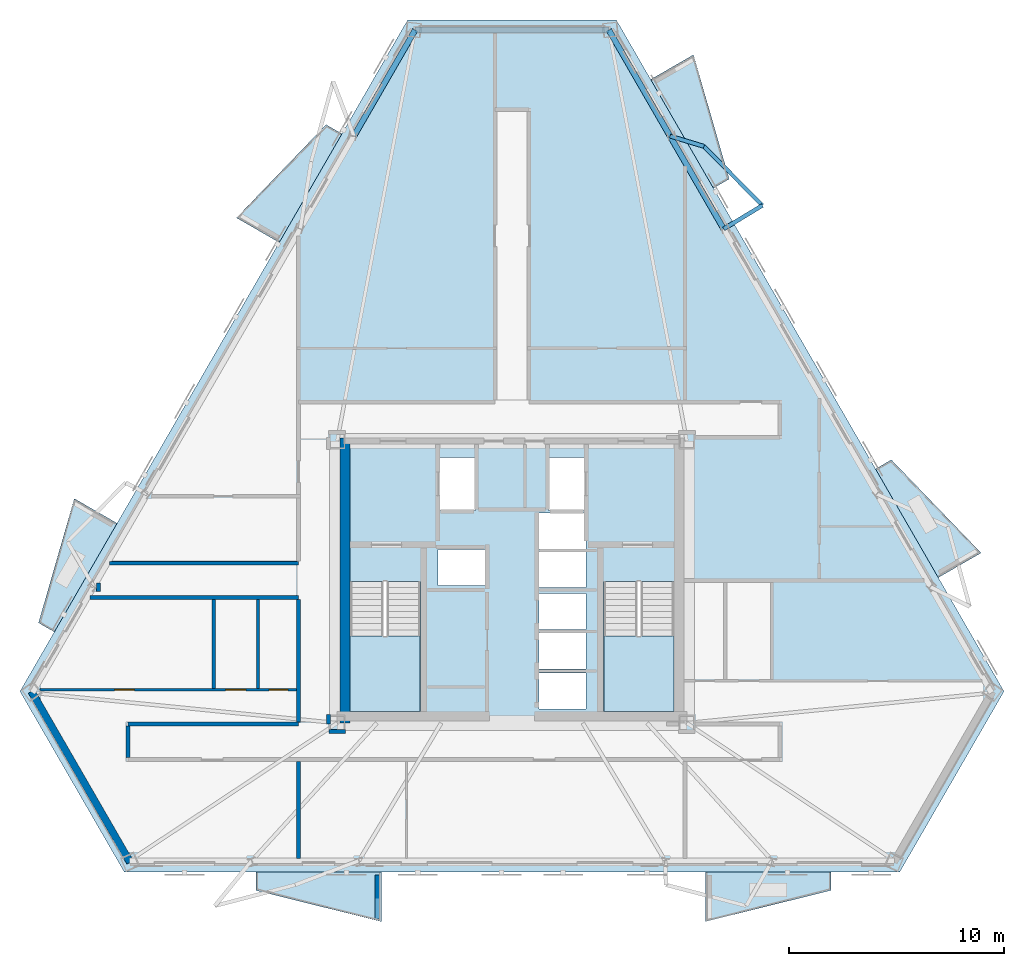
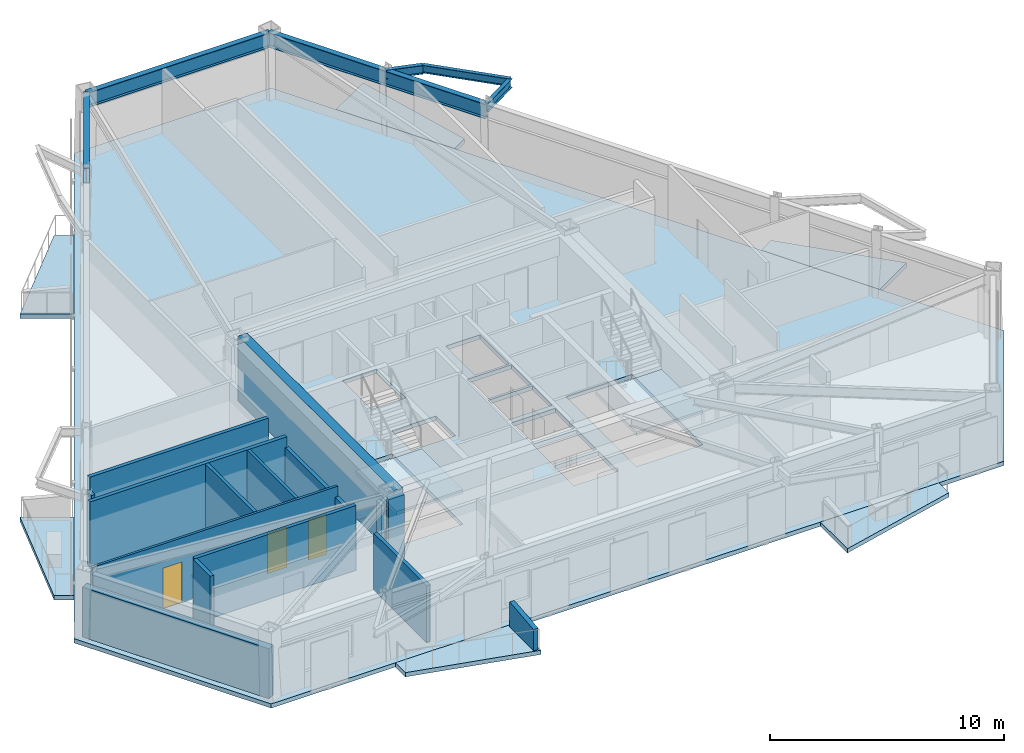
# One storey, part 2 of 9: 15 walls, 9 slabs, 7 beams, 3 doors, 3 openings, 2 elements without a shape of their own.
"""IFC4 building model written with IfcOpenShell, lengths in metres."""

from ifc_helpers import new_model, si_unit, direction, frame, frame_2d, origin, origin_2d, place, context, subcontext, project, spatial, polyline, rectangle, i_section, outline, extrude, material, layer, layer_set, material_profile, profile_set, type_object, element, fill, aggregate, save


model = new_model("IFC4")

# Units and contexts
model_context = context("Model", 3, precision=1e-05, world=origin(), true_north=direction((0.0, 1.0)))
body_context = subcontext(model_context, "Body", "Model", "MODEL_VIEW")
ifc_project = project(units=[si_unit("LENGTHUNIT", "METRE"), si_unit("AREAUNIT", "SQUARE_METRE"), si_unit("VOLUMEUNIT", "CUBIC_METRE"), si_unit("PLANEANGLEUNIT", "RADIAN"), si_unit("MASSUNIT", "GRAM", prefix="KILO")], contexts=[model_context])

# Site, building, storey
site_placement = place(None, origin())
site = spatial("IfcSite", under=ifc_project, at=site_placement, CompositionType="ELEMENT")
building_placement = place(site_placement, origin())
building = spatial("IfcBuilding", under=site, at=building_placement, Name="Oramaril Tower", CompositionType="ELEMENT")
storey_placement = place(building_placement, frame((0.0, 0.0, 156.60009765625)))
storey = spatial("IfcBuildingStorey", under=building, at=storey_placement, Name="L41", CompositionType="ELEMENT", Elevation=156.60009765625)

# Beams
ifc_material_1 = material(Name="Steel ASTM A572 Gr 50", Category="steel")
ifc_material_profile_1 = material_profile(ifc_material_1, i_section(OverallWidth=0.19091796875, OverallDepth=0.45703125, WebThickness=0.009033203125, FlangeThickness=0.014404296875, at=origin_2d()), Name="W18X50")
ifc_profile_set_1 = profile_set([ifc_material_profile_1], Name="Steel ASTM A572 Gr 50")
beam_type_1 = type_object("IfcBeamType", Name="BT-BB1", PredefinedType="BEAM", material=ifc_profile_set_1)
beam_1_placement = place(storey_placement, frame((47.36767578125, 34.035400390625, 3.1513671875), z_axis=(0.855082723901, 0.518491596158, 0.0), x_axis=(-0.518491596158, 0.855082723901, 0.0)))
element("IfcBeam", 1, at=beam_1_placement, inside=storey, type_object=beam_type_1, Name="L41 Balcony Column-Framed Cantilever 04.1", PredefinedType="BEAM", context=body_context, shape_type="SweptSolid", body=[
    extrude(i_section(OverallWidth=0.19091796875, OverallDepth=0.45703125, WebThickness=0.009033203125, FlangeThickness=0.014404296875, at=origin_2d()), origin(), (0.0, 0.0, 1.0), 2.108642578125),
])
beam_2_placement = place(storey_placement, frame((44.87060546875, 38.360595703125, 3.1513671875), z_axis=(0.956872500242, -0.290508206906, 0.0), x_axis=(0.290508206906, 0.956872500242, 0.0)))
element("IfcBeam", 2, at=beam_2_placement, inside=storey, type_object=beam_type_1, Name="L41 Balcony Column-Framed Cantilever 04.2", PredefinedType="BEAM", context=body_context, shape_type="SweptSolid", body=[
    extrude(i_section(OverallWidth=0.19091796875, OverallDepth=0.45703125, WebThickness=0.009033203125, FlangeThickness=0.014404296875, at=origin_2d()), origin(), (0.0, 0.0, 1.0), 1.650634765625),
])
ifc_material_2 = material(Name="Steel ASTM A572 Gr 50", Category="steel")
ifc_material_profile_2 = material_profile(ifc_material_2, i_section(OverallWidth=0.177978515625, OverallDepth=0.404052734375, WebThickness=0.007568359375, FlangeThickness=0.010986328125, at=origin_2d()), Name="W16X36")
ifc_profile_set_2 = profile_set([ifc_material_profile_2], Name="Steel ASTM A572 Gr 50")
beam_type_2 = type_object("IfcBeamType", Name="BT-SB1", PredefinedType="BEAM", material=ifc_profile_set_2)
beam_3_placement = place(storey_placement, frame((49.170654296875, 35.128662109375, 3.177978515625), z_axis=(-0.702994511648, 0.71119527318, 0.0), x_axis=(-0.71119527318, -0.702994511648, 0.0)))
element("IfcBeam", 3, at=beam_3_placement, inside=storey, type_object=beam_type_2, Name="L41 Balcony Edge Tie Beam 04", PredefinedType="BEAM", context=body_context, shape_type="SweptSolid", body=[
    extrude(i_section(OverallWidth=0.177978515625, OverallDepth=0.404052734375, WebThickness=0.007568359375, FlangeThickness=0.010986328125, at=origin_2d()), origin(), (0.0, 0.0, 1.0), 3.8701171875),
])
ifc_material_3 = material(Name="Steel ASTM A572 Gr 50", Category="steel")
ifc_material_profile_3 = material_profile(ifc_material_3, i_section(OverallWidth=0.26708984375, OverallDepth=0.77001953125, WebThickness=0.015625, FlangeThickness=0.025390625, at=origin_2d()), Name="W30X132")
ifc_profile_set_3 = profile_set([ifc_material_profile_3], Name="Steel ASTM A572 Gr 50")
beam_type_3 = type_object("IfcBeamType", Name="BT-SP3", PredefinedType="SPANDREL", material=ifc_profile_set_3)
beam_4_placement = place(storey_placement, frame((47.36767578125, 34.035400390625, 2.994873046875), z_axis=(-0.499987630939, 0.866032544947, 0.0), x_axis=(-0.866032544947, -0.499987630939, 0.0)))
element("IfcBeam", 4, at=beam_4_placement, inside=storey, type_object=beam_type_3, Name="L41 Perimeter Spandrel 11", PredefinedType="SPANDREL", context=body_context, shape_type="SweptSolid", body=[
    extrude(i_section(OverallWidth=0.26708984375, OverallDepth=0.77001953125, WebThickness=0.015625, FlangeThickness=0.025390625, at=origin_2d()), origin(), (0.0, 0.0, 1.0), 4.994384765625),
])
beam_5_placement = place(storey_placement, frame((44.87060546875, 38.360595703125, 2.994873046875), z_axis=(-0.499998923669, 0.866026025204, 0.0), x_axis=(-0.866026025204, -0.499998923669, 0.0)))
element("IfcBeam", 5, at=beam_5_placement, inside=storey, type_object=beam_type_3, Name="L41 Perimeter Spandrel 12", PredefinedType="SPANDREL", context=body_context, shape_type="SweptSolid", body=[
    extrude(i_section(OverallWidth=0.26708984375, OverallDepth=0.77001953125, WebThickness=0.015625, FlangeThickness=0.025390625, at=origin_2d()), origin(), (0.0, 0.0, 1.0), 5.70751953125),
])
beam_6_placement = place(storey_placement, frame((42.016845703125, 43.303466796875, 2.994873046875), z_axis=(-1.0, 0.0, 0.0), x_axis=(0.0, -1.0, 0.0)))
element("IfcBeam", 6, at=beam_6_placement, inside=storey, type_object=beam_type_3, Name="L41 Perimeter Spandrel 13", PredefinedType="SPANDREL", context=body_context, shape_type="SweptSolid", body=[
    extrude(i_section(OverallWidth=0.26708984375, OverallDepth=0.77001953125, WebThickness=0.015625, FlangeThickness=0.025390625, at=origin_2d()), origin(), (0.0, 0.0, 1.0), 9.03369140625),
])
beam_7_placement = place(storey_placement, frame((32.983154296875, 43.303466796875, 2.994873046875), z_axis=(-0.499998923669, -0.866026025204, 0.0), x_axis=(0.866026025204, -0.499998923669, 0.0)))
element("IfcBeam", 7, at=beam_7_placement, inside=storey, type_object=beam_type_3, Name="L41 Perimeter Spandrel 14", PredefinedType="SPANDREL", context=body_context, shape_type="SweptSolid", body=[
    extrude(i_section(OverallWidth=0.26708984375, OverallDepth=0.77001953125, WebThickness=0.015625, FlangeThickness=0.025390625, at=origin_2d()), origin(), (0.0, 0.0, 1.0), 5.70751953125),
])

# Slabs
ifc_material_4 = material(Name="Concrete C40/50", Category="concrete")
ifc_layer_1 = layer(ifc_material_4, 0.199951171875)
ifc_layer_set_1 = layer_set([ifc_layer_1], Name="SLT-BAL20")
slab_type_1 = type_object("IfcSlabType", Name="SLT-BAL20", PredefinedType="FLOOR", material=ifc_layer_set_1)
slab_1_placement = place(storey_placement, frame((0.0, 0.0, -0.22021484375)))
element("IfcSlab", 8, at=slab_1_placement, inside=storey, type_object=slab_type_1, Name="L41 Cantilevered Balcony Slab L41-BAL-S1", PredefinedType="FLOOR", context=body_context, shape_type="SweptSolid", body=[
    extrude(outline(polyline([(25.55615234375, 4.052734375), (31.40625, 4.052734375), (31.40625, 1.750732421875), (25.55615234375, 3.20068359375), (25.55615234375, 4.052734375)])), origin(), (0.0, 0.0, 1.0), 0.22021484375),
])
slab_2_placement = place(storey_placement, frame((0.0, 0.0, -0.22021484375)))
element("IfcSlab", 9, at=slab_2_placement, inside=storey, type_object=slab_type_1, Name="L41 Cantilevered Balcony Slab L41-BAL-NE2", PredefinedType="FLOOR", context=body_context, shape_type="SweptSolid", body=[
    extrude(outline(polyline([(46.887939453125, 35.93408203125), (43.962890625, 41.00048828125), (45.95654296875, 42.1513671875), (47.625732421875, 36.360107421875), (46.887939453125, 35.93408203125)])), origin(), (0.0, 0.0, 1.0), 0.22021484375),
])
slab_3_placement = place(storey_placement, frame((0.0, 0.0, -0.22021484375)))
element("IfcSlab", 10, at=slab_3_placement, inside=storey, type_object=slab_type_1, Name="L41 Cantilevered Balcony Slab L41-BAL-NW1", PredefinedType="FLOOR", context=body_context, shape_type="SweptSolid", body=[
    extrude(outline(polyline([(29.574462890625, 38.46728515625), (26.6494140625, 33.40087890625), (24.656005859375, 34.552001953125), (28.836669921875, 38.893310546875), (29.574462890625, 38.46728515625)])), origin(), (0.0, 0.0, 1.0), 0.22021484375),
])
ifc_material_5 = material(Name="Concrete C50/60", Category="concrete")
ifc_layer_2 = layer(ifc_material_5, 0.219970703125)
ifc_layer_set_2 = layer_set([ifc_layer_2], Name="SLT-FLR22")
slab_type_2 = type_object("IfcSlabType", Name="SLT-FLR22", PredefinedType="FLOOR", material=ifc_layer_set_2)
slab_4_placement = place(storey_placement, frame((0.0, 0.0, -0.22021484375)))
element("IfcSlab", 11, at=slab_4_placement, inside=storey, type_object=slab_type_2, Name="L41 Structural Floor Slab", PredefinedType="FLOOR", context=body_context, shape_type="SweptSolid", body=[
    extrude(outline(polyline([(14.56640625, 12.4765625), (19.43115234375, 4.05078125), (55.56884765625, 4.05078125), (60.43359375, 12.4765625), (42.36474609375, 43.772705078125), (32.63525390625, 43.772705078125), (14.56640625, 12.4765625)]), holes=[polyline([(29.949951171875, 17.58935546875), (29.949951171875, 11.550048828125), (33.219970703125, 11.550048828125), (33.219970703125, 17.58935546875), (29.949951171875, 17.58935546875)]), polyline([(41.780029296875, 17.58935546875), (41.780029296875, 11.550048828125), (45.050048828125, 11.550048828125), (45.050048828125, 17.58935546875), (41.780029296875, 17.58935546875)]), polyline([(34.110107421875, 20.909912109375), (35.7900390625, 20.909912109375), (35.7900390625, 23.389892578125), (34.110107421875, 23.389892578125), (34.110107421875, 20.909912109375)]), polyline([(39.2099609375, 20.909912109375), (40.889892578125, 20.909912109375), (40.889892578125, 23.389892578125), (39.2099609375, 23.389892578125), (39.2099609375, 20.909912109375)]), polyline([(38.760009765625, 11.659912109375), (40.93994140625, 11.659912109375), (40.93994140625, 13.340087890625), (38.760009765625, 13.340087890625), (38.760009765625, 11.659912109375)]), polyline([(38.760009765625, 13.510009765625), (40.93994140625, 13.510009765625), (40.93994140625, 15.18994140625), (38.760009765625, 15.18994140625), (38.760009765625, 13.510009765625)]), polyline([(38.760009765625, 15.360107421875), (40.93994140625, 15.360107421875), (40.93994140625, 17.0400390625), (38.760009765625, 17.0400390625), (38.760009765625, 15.360107421875)]), polyline([(34.06005859375, 17.409912109375), (36.239990234375, 17.409912109375), (36.239990234375, 19.090087890625), (34.06005859375, 19.090087890625), (34.06005859375, 17.409912109375)]), polyline([(38.760009765625, 17.31005859375), (40.93994140625, 17.31005859375), (40.93994140625, 18.989990234375), (38.760009765625, 18.989990234375), (38.760009765625, 17.31005859375)]), polyline([(38.760009765625, 19.110107421875), (40.93994140625, 19.110107421875), (40.93994140625, 20.7900390625), (38.760009765625, 20.7900390625), (38.760009765625, 19.110107421875)])]), origin(), (0.0, 0.0, 1.0), 0.22021484375),
])

# Stair, slab
ifc_material_6 = material(Name="Concrete C50/60", Category="concrete")
stair_type = type_object("IfcStairType", Name="STT-DG-3600", PredefinedType="HALF_TURN_STAIR", material=ifc_material_6)
stair_1_placement = place(storey_placement, origin())
stair_1 = element("IfcStair", 12, at=stair_1_placement, inside=storey, type_object=stair_type, Name="L41 Protected PFP Exit Stair ST-1", PredefinedType="HALF_TURN_STAIR")
ifc_material_7 = material(Name="Concrete C50/60", Category="concrete")
ifc_layer_3 = layer(ifc_material_7, 0.199951171875)
ifc_layer_set_3 = layer_set([ifc_layer_3], Name="SLT-LND20")
slab_type_3 = type_object("IfcSlabType", Name="SLT-LND20", PredefinedType="LANDING", material=ifc_layer_set_3)
slab_5_placement = place(storey_placement, frame((0.0, 0.0, 1.599853515625)))
slab_5 = element("IfcSlab", 13, at=slab_5_placement, type_object=slab_type_3, Name="ST-1 landing 1", PredefinedType="LANDING", context=body_context, shape_type="SweptSolid", body=[
    extrude(outline(polyline([(29.949951171875, 15.070068359375), (29.949951171875, 11.550048828125), (33.219970703125, 11.550048828125), (33.219970703125, 15.070068359375), (29.949951171875, 15.070068359375)])), origin(), (0.0, 0.0, 1.0), 0.199951171875),
])
aggregate(stair_1, [slab_5])

stair_2_placement = place(storey_placement, origin())
stair_2 = element("IfcStair", 14, at=stair_2_placement, inside=storey, type_object=stair_type, Name="L41 Protected PFP Exit Stair ST-2", PredefinedType="HALF_TURN_STAIR")
slab_6_placement = place(storey_placement, frame((0.0, 0.0, 1.599853515625)))
slab_6 = element("IfcSlab", 15, at=slab_6_placement, type_object=slab_type_3, Name="ST-2 landing 1", PredefinedType="LANDING", context=body_context, shape_type="SweptSolid", body=[
    extrude(outline(polyline([(41.780029296875, 15.070068359375), (41.780029296875, 11.550048828125), (45.050048828125, 11.550048828125), (45.050048828125, 15.070068359375), (41.780029296875, 15.070068359375)])), origin(), (0.0, 0.0, 1.0), 0.199951171875),
])
aggregate(stair_2, [slab_6])

# Slabs
ifc_material_8 = material(Name="Concrete C40/50", Category="concrete")
ifc_layer_4 = layer(ifc_material_8, 0.18994140625)
ifc_layer_set_4 = layer_set([ifc_layer_4], Name="SLT-PLN19")
slab_type_4 = type_object("IfcSlabType", Name="SLT-PLN19", PredefinedType="FLOOR", material=ifc_layer_set_4)
slab_7_placement = place(storey_placement, frame((0.0, 0.0, -0.22021484375)))
element("IfcSlab", 16, at=slab_7_placement, inside=storey, type_object=slab_type_4, Name="L41 Tree Planter Balcony Slab L41-BAL-S2", PredefinedType="FLOOR", context=body_context, shape_type="SweptSolid", body=[
    extrude(outline(polyline([(46.518798828125, 4.052734375), (52.368896484375, 4.052734375), (52.368896484375, 3.20068359375), (46.518798828125, 1.750732421875), (46.518798828125, 4.052734375)])), origin(), (0.0, 0.0, 1.0), 0.22021484375),
])
slab_8_placement = place(storey_placement, frame((0.0, 0.0, -0.22021484375)))
element("IfcSlab", 17, at=slab_8_placement, inside=storey, type_object=slab_type_4, Name="L41 Tree Planter Balcony Slab L41-BAL-NE1", PredefinedType="FLOOR", context=body_context, shape_type="SweptSolid", body=[
    extrude(outline(polyline([(57.369384765625, 17.780029296875), (54.4443359375, 22.84619140625), (55.18212890625, 23.272216796875), (59.36279296875, 18.930908203125), (57.369384765625, 17.780029296875)])), origin(), (0.0, 0.0, 1.0), 0.22021484375),
])
slab_9_placement = place(storey_placement, frame((0.0, 0.0, -0.22021484375)))
element("IfcSlab", 18, at=slab_9_placement, inside=storey, type_object=slab_type_4, Name="L41 Tree Planter Balcony Slab L41-BAL-NW2", PredefinedType="FLOOR", context=body_context, shape_type="SweptSolid", body=[
    extrude(outline(polyline([(19.09326171875, 20.31298828125), (16.168212890625, 15.246826171875), (15.430419921875, 15.6728515625), (17.099609375, 21.464111328125), (19.09326171875, 20.31298828125)])), origin(), (0.0, 0.0, 1.0), 0.22021484375),
])

# Walls
ifc_material_9 = material(Name="Warm Cream Limestone", Category="masonry")
ifc_layer_5 = layer(ifc_material_9, 0.340087890625)
ifc_layer_set_5 = layer_set([ifc_layer_5], Name="WT-EXT34")
wall_type_1 = type_object("IfcWallType", Name="WT-EXT34", PredefinedType="SOLIDWALL", material=ifc_layer_set_5)
wall_1_placement = place(storey_placement, frame((15.09765625, 12.4765625, 0.0), z_axis=(0.0, 0.0, 1.0), x_axis=(0.500004288242, -0.866022927952, 0.0)))
element("IfcWall", 19, at=wall_1_placement, inside=storey, type_object=wall_type_1, Name="L41 Tower Limestone Facade Wall 1M", PredefinedType="SOLIDWALL", context=body_context, shape_type="SweptSolid", body=[
    extrude(rectangle(XDim=9.1982421875, YDim=0.340087890625, at=frame_2d((4.59912109375, 0.0))), origin(), (0.0, 0.0, 1.0), 2.599853515625),
])
ifc_material_10 = material(Name="Concrete C40/50", Category="concrete")
ifc_layer_6 = layer(ifc_material_10, 0.22998046875)
ifc_layer_set_6 = layer_set([ifc_layer_6], Name="WT-PRP23")
wall_type_2 = type_object("IfcWallType", Name="WT-PRP23", PredefinedType="PARAPET", material=ifc_layer_set_6)
wall_2_placement = place(storey_placement, frame((31.226318359375, 3.91259765625, 0.0), z_axis=(0.0, 0.0, 1.0), x_axis=(0.0, -1.0, 0.0)))
element("IfcWall", 20, at=wall_2_placement, inside=storey, type_object=wall_type_2, Name="L41 Trapezoidal Balcony Frame Cheek L41-BAL-S1-R", PredefinedType="PARAPET", context=body_context, shape_type="SweptSolid", body=[
    extrude(outline(polyline([(0.0, 0.0), (2.0419921875, 0.0), (2.0419921875, 1.099853515625), (0.0, 1.31982421875), (0.0, 0.0)])), frame((0.0, 0.114990234375, 0.0), z_axis=(0.0, -1.0, 0.0), x_axis=(1.0, 0.0, 0.0)), (0.0, 0.0, 1.0), 0.22998046875),
])

# Wall, openings, doors
ifc_material_11 = material(Name="Acoustic Gypsum Board Partition")
ifc_layer_7 = layer(ifc_material_11, 0.1201171875)
ifc_layer_set_7 = layer_set([ifc_layer_7], Name="WT-PT12")
wall_type_3 = type_object("IfcWallType", Name="WT-PT12", PredefinedType="PARTITIONING", material=ifc_layer_set_7)
wall_3_placement = place(storey_placement, frame((15.4873046875, 12.550048828125, 0.0), z_axis=(0.0, 0.0, 1.0), x_axis=(1.0, 0.0, 0.0)))
wall_3 = element("IfcWall", 21, at=wall_3_placement, inside=storey, type_object=wall_type_3, Name="L41 Interior Partition PT-12", PredefinedType="PARTITIONING", context=body_context, shape_type="SweptSolid", body=[
    extrude(rectangle(XDim=12.11279296875, YDim=0.1201171875, at=frame_2d((6.056396484375, 0.0))), origin(), (0.0, 0.0, 1.0), 3.3798828125),
])
opening_1_placement = place(wall_3_placement, frame((3.494384765625, 0.0, 0.0)))
opening_1 = element("IfcOpeningElement", 22, at=opening_1_placement, cuts=wall_3, Name="Opening D-L41-04", PredefinedType="OPENING", context=body_context, shape_type="SweptSolid", body=[
    extrude(rectangle(XDim=0.919921875, YDim=2.1201171875, at=frame_2d((0.4599609375, 1.06005859375))), frame((0.0, 0.06005859375, 0.0), z_axis=(0.0, -1.0, 0.0), x_axis=(1.0, 0.0, 0.0)), (0.0, 0.0, 1.0), 0.1201171875),
])
opening_2_placement = place(wall_3_placement, frame((8.662841796875, 0.0, 0.0)))
opening_2 = element("IfcOpeningElement", 23, at=opening_2_placement, cuts=wall_3, Name="Opening D-L41-05", PredefinedType="OPENING", context=body_context, shape_type="SweptSolid", body=[
    extrude(rectangle(XDim=0.949951171875, YDim=2.10009765625, at=frame_2d((0.47509765625, 1.050048828125))), frame((0.0, 0.06005859375, 0.0), z_axis=(0.0, -1.0, 0.0), x_axis=(1.0, 0.0, 0.0)), (0.0, 0.0, 1.0), 0.1201171875),
])
opening_3_placement = place(wall_3_placement, frame((10.687744140625, 0.0, 0.0)))
opening_3 = element("IfcOpeningElement", 24, at=opening_3_placement, cuts=wall_3, Name="Opening D-L41-06", PredefinedType="OPENING", context=body_context, shape_type="SweptSolid", body=[
    extrude(rectangle(XDim=0.8798828125, YDim=2.080078125, at=frame_2d((0.43994140625, 1.0400390625))), frame((0.0, 0.06005859375, 0.0), z_axis=(0.0, -1.0, 0.0), x_axis=(1.0, 0.0, 0.0)), (0.0, 0.0, 1.0), 0.1201171875),
])
ifc_material_12 = material(Name="FSC Brazilian Freijo Hardwood", Category="wood")
door_type_1 = type_object("IfcDoorType", Name="DT-BATH", OperationType="NOTDEFINED", PredefinedType="DOOR", material=ifc_material_12)
door_1_placement = place(opening_3_placement, origin())
door_1 = element("IfcDoor", 25, at=door_1_placement, inside=storey, type_object=door_type_1, Name="L41 Flat L41-U2 Bathroom Door D-L41-06", OperationType="SINGLE_SWING_LEFT", OverallHeight=2.080078125, OverallWidth=0.8798828125, PredefinedType="DOOR", context=body_context, shape_type="SweptSolid", body=[
    extrude(rectangle(XDim=0.8798828125, YDim=2.080078125, at=frame_2d((0.43994140625, 1.0400390625))), frame((0.0, 0.02490234375, 0.0), z_axis=(0.0, -1.0, 0.0), x_axis=(1.0, 0.0, 0.0)), (0.0, 0.0, 1.0), 0.050048828125),
])
fill(opening_3, door_1)
ifc_material_13 = material(Name="FSC Brazilian Freijo Hardwood", Category="wood")
door_type_2 = type_object("IfcDoorType", Name="DT-BED", OperationType="NOTDEFINED", PredefinedType="DOOR", material=ifc_material_13)
door_2_placement = place(opening_1_placement, origin())
door_2 = element("IfcDoor", 26, at=door_2_placement, inside=storey, type_object=door_type_2, Name="L41 Flat L41-U2 Master Bedroom Door D-L41-04", OperationType="SINGLE_SWING_LEFT", OverallHeight=2.1201171875, OverallWidth=0.919921875, PredefinedType="DOOR", context=body_context, shape_type="SweptSolid", body=[
    extrude(rectangle(XDim=0.919921875, YDim=2.1201171875, at=frame_2d((0.4599609375, 1.06005859375))), frame((0.0, 0.02490234375, 0.0), z_axis=(0.0, -1.0, 0.0), x_axis=(1.0, 0.0, 0.0)), (0.0, 0.0, 1.0), 0.050048828125),
])
fill(opening_1, door_2)
ifc_material_14 = material(Name="FSC Brazilian Freijo Hardwood", Category="wood")
door_type_3 = type_object("IfcDoorType", Name="DT-STDY", OperationType="NOTDEFINED", PredefinedType="DOOR", material=ifc_material_14)
door_3_placement = place(opening_2_placement, origin())
door_3 = element("IfcDoor", 27, at=door_3_placement, inside=storey, type_object=door_type_3, Name="L41 Flat L41-U2 Kitchen Door D-L41-05", OperationType="SINGLE_SWING_RIGHT", OverallHeight=2.10009765625, OverallWidth=0.949951171875, PredefinedType="DOOR", context=body_context, shape_type="SweptSolid", body=[
    extrude(rectangle(XDim=0.949951171875, YDim=2.10009765625, at=frame_2d((0.47509765625, 1.050048828125))), frame((0.0, 0.02490234375, 0.0), z_axis=(0.0, -1.0, 0.0), x_axis=(1.0, 0.0, 0.0)), (0.0, 0.0, 1.0), 0.050048828125),
])
fill(opening_2, door_3)

# Walls
ifc_material_15 = material(Name="Acoustic Gypsum Board Partition")
ifc_layer_8 = layer(ifc_material_15, 0.139892578125)
ifc_layer_set_8 = layer_set([ifc_layer_8], Name="WT-PT14")
wall_type_4 = type_object("IfcWallType", Name="WT-PT14", PredefinedType="PARTITIONING", material=ifc_layer_set_8)
wall_4_placement = place(storey_placement, frame((25.64990234375, 12.614013671875, 0.0), z_axis=(0.0, 0.0, 1.0), x_axis=(0.0, 1.0, 0.0)))
element("IfcWall", 28, at=wall_4_placement, inside=storey, type_object=wall_type_4, Name="L41 Interior Partition PT-14", PredefinedType="PARTITIONING", context=body_context, shape_type="SweptSolid", body=[
    extrude(rectangle(XDim=4.14208984375, YDim=0.139892578125, at=frame_2d((2.071044921875, 0.0))), origin(), (0.0, 0.0, 1.0), 3.3798828125),
])
ifc_material_16 = material(Name="Acoustic Gypsum Board Partition")
ifc_layer_9 = layer(ifc_material_16, 0.159912109375)
ifc_layer_set_9 = layer_set([ifc_layer_9], Name="WT-PT16")
wall_type_5 = type_object("IfcWallType", Name="WT-PT16", PredefinedType="PARTITIONING", material=ifc_layer_set_9)
wall_5_placement = place(storey_placement, frame((23.60009765625, 12.614013671875, 0.0), z_axis=(0.0, 0.0, 1.0), x_axis=(0.0, 1.0, 0.0)))
element("IfcWall", 29, at=wall_5_placement, inside=storey, type_object=wall_type_5, Name="L41 Interior Partition PT-16", PredefinedType="PARTITIONING", context=body_context, shape_type="SweptSolid", body=[
    extrude(rectangle(XDim=4.14208984375, YDim=0.159912109375, at=frame_2d((2.071044921875, 0.0))), origin(), (0.0, 0.0, 1.0), 3.3798828125),
])
ifc_material_17 = material(Name="Autoclaved Cellular Concrete Block", Category="concrete")
ifc_layer_10 = layer(ifc_material_17, 0.179931640625)
ifc_layer_set_10 = layer_set([ifc_layer_10], Name="WT-PT18")
wall_type_6 = type_object("IfcWallType", Name="WT-PT18", PredefinedType="PARTITIONING", material=ifc_layer_set_10)
wall_6_placement = place(storey_placement, frame((28.9599609375, 10.610107421875, 0.0), z_axis=(0.0, 0.0, 1.0), x_axis=(1.0, 0.0, 0.0)))
element("IfcWall", 30, at=wall_6_placement, inside=storey, type_object=wall_type_6, Name="L41 Interior Partition PT-18", PredefinedType="PARTITIONING", context=body_context, shape_type="SweptSolid", body=[
    extrude(rectangle(XDim=0.780029296875, YDim=0.179931640625, at=frame_2d((0.39013671875, 0.0))), origin(), (0.0, 0.0, 1.0), 3.3798828125),
])
wall_7_placement = place(storey_placement, frame((19.60009765625, 10.949951171875, 0.0), z_axis=(0.0, 0.0, 1.0), x_axis=(1.0, 0.0, 0.0)))
element("IfcWall", 31, at=wall_7_placement, inside=storey, type_object=wall_type_6, Name="L41 Interior Partition PT-18", PredefinedType="PARTITIONING", context=body_context, shape_type="SweptSolid", body=[
    extrude(rectangle(XDim=7.949951171875, YDim=0.179931640625, at=frame_2d((3.97509765625, 0.0))), origin(), (0.0, 0.0, 1.0), 3.3798828125),
])
wall_8_placement = place(storey_placement, frame((17.823486328125, 16.85009765625, 0.0), z_axis=(0.0, 0.0, 1.0), x_axis=(1.0, 0.0, 0.0)))
element("IfcWall", 32, at=wall_8_placement, inside=storey, type_object=wall_type_6, Name="L41 Interior Partition PT-18", PredefinedType="PARTITIONING", context=body_context, shape_type="SweptSolid", body=[
    extrude(rectangle(XDim=9.7265625, YDim=0.179931640625, at=frame_2d((4.86328125, 0.0))), origin(), (0.0, 0.0, 1.0), 3.3798828125),
])
wall_9_placement = place(storey_placement, frame((18.747314453125, 18.449951171875, 0.0), z_axis=(0.0, 0.0, 1.0), x_axis=(1.0, 0.0, 0.0)))
element("IfcWall", 33, at=wall_9_placement, inside=storey, type_object=wall_type_6, Name="L41 Interior Partition PT-18", PredefinedType="PARTITIONING", context=body_context, shape_type="SweptSolid", body=[
    extrude(rectangle(XDim=8.802734375, YDim=0.179931640625, at=frame_2d((4.4013671875, 0.0))), origin(), (0.0, 0.0, 1.0), 3.3798828125),
])
wall_10_placement = place(storey_placement, frame((18.219970703125, 17.13330078125, 0.0), z_axis=(0.0, 0.0, 1.0), x_axis=(0.0, 1.0, 0.0)))
element("IfcWall", 34, at=wall_10_placement, inside=storey, type_object=wall_type_6, Name="L41 Interior Partition PT-18", PredefinedType="PARTITIONING", context=body_context, shape_type="SweptSolid", body=[
    extrude(rectangle(XDim=0.4033203125, YDim=0.179931640625, at=frame_2d((0.20166015625, 0.0))), origin(), (0.0, 0.0, 1.0), 3.3798828125),
])
wall_11_placement = place(storey_placement, frame((19.60009765625, 9.39404296875, 0.0), z_axis=(0.0, 0.0, 1.0), x_axis=(0.0, 1.0, 0.0)))
element("IfcWall", 35, at=wall_11_placement, inside=storey, type_object=wall_type_6, Name="L41 Interior Partition PT-18", PredefinedType="PARTITIONING", context=body_context, shape_type="SweptSolid", body=[
    extrude(rectangle(XDim=1.4619140625, YDim=0.179931640625, at=frame_2d((0.73095703125, 0.0))), origin(), (0.0, 0.0, 1.0), 3.3798828125),
])
wall_12_placement = place(storey_placement, frame((27.550048828125, 4.684814453125, 0.0), z_axis=(0.0, 0.0, 1.0), x_axis=(0.0, 1.0, 0.0)))
element("IfcWall", 36, at=wall_12_placement, inside=storey, type_object=wall_type_6, Name="L41 Interior Partition PT-18", PredefinedType="PARTITIONING", context=body_context, shape_type="SweptSolid", body=[
    extrude(rectangle(XDim=4.521240234375, YDim=0.179931640625, at=frame_2d((2.2607421875, 0.0))), origin(), (0.0, 0.0, 1.0), 2.9658203125),
])
wall_13_placement = place(storey_placement, frame((27.550048828125, 11.0439453125, 0.0), z_axis=(0.0, 0.0, 1.0), x_axis=(0.0, 1.0, 0.0)))
element("IfcWall", 37, at=wall_13_placement, inside=storey, type_object=wall_type_6, Name="L41 Interior Partition PT-18", PredefinedType="PARTITIONING", context=body_context, shape_type="SweptSolid", body=[
    extrude(rectangle(XDim=5.712158203125, YDim=0.179931640625, at=frame_2d((2.85595703125, 0.0))), origin(), (0.0, 0.0, 1.0), 2.841796875),
])
wall_14_placement = place(storey_placement, frame((28.949951171875, 10.949951171875, 0.0), z_axis=(0.0, 0.0, 1.0), x_axis=(0.0, 1.0, 0.0)))
element("IfcWall", 38, at=wall_14_placement, inside=storey, type_object=wall_type_6, Name="L41 Interior Partition PT-18", PredefinedType="PARTITIONING", context=body_context, shape_type="SweptSolid", body=[
    extrude(rectangle(XDim=0.445068359375, YDim=0.179931640625, at=frame_2d((0.22265625, 0.0))), origin(), (0.0, 0.0, 1.0), 2.841796875),
])
ifc_material_18 = material(Name="Concrete C50/60", Category="concrete")
ifc_layer_11 = layer(ifc_material_18, 0.449951171875)
ifc_layer_set_11 = layer_set([ifc_layer_11], Name="WT-SH45")
wall_type_7 = type_object("IfcWallType", Name="WT-SH45", PredefinedType="SHEAR", material=ifc_layer_set_11)
wall_15_placement = place(storey_placement, frame((29.715087890625, 11.0, 0.0), z_axis=(0.0, 0.0, 1.0), x_axis=(0.0, 1.0, 0.0)))
element("IfcWall", 39, at=wall_15_placement, inside=storey, type_object=wall_type_7, Name="L41 Core Shear Wall CW-W", PredefinedType="SHEAR", context=body_context, shape_type="SweptSolid", body=[
    extrude(rectangle(XDim=13.300048828125, YDim=0.449951171875, at=frame_2d((6.64990234375, 0.0))), origin(), (0.0, 0.0, 1.0), 3.3798828125),
])

save(model, "model.ifc")
